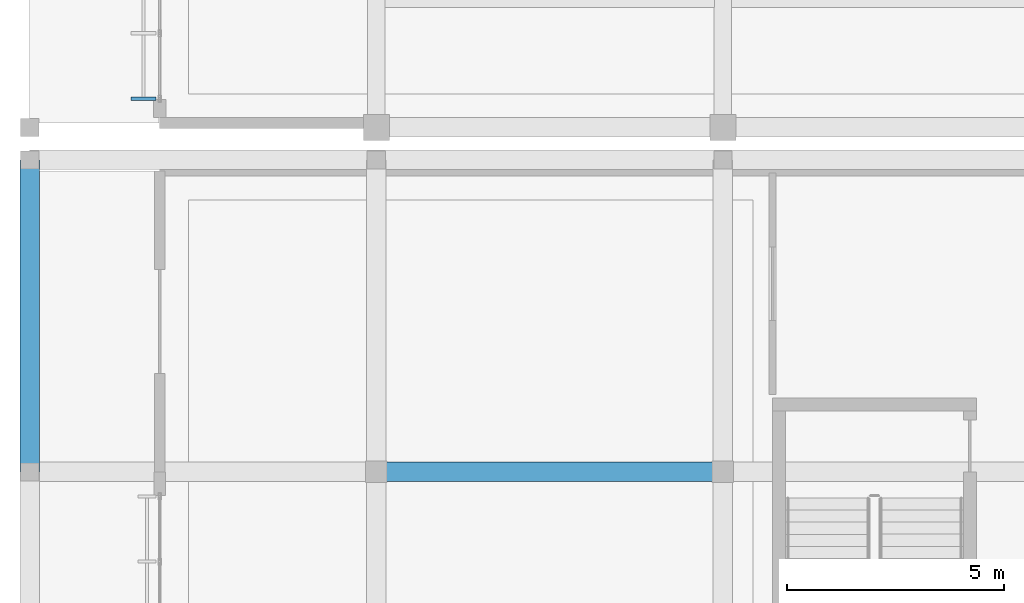
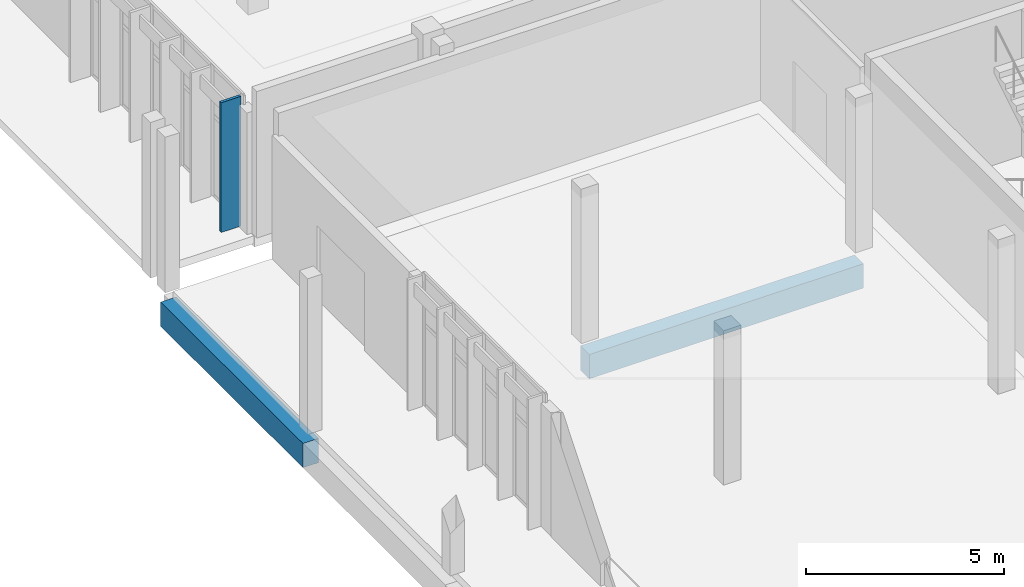
# One storey, part 51 of 151: 2 beams, 1 member, 1 element without a shape of its own.
"""IFC4 building model written with IfcOpenShell, lengths in metres."""

import ifcopenshell
import ifcopenshell.guid

model = None  # the IFC model being written
_history = None  # IfcOwnerHistory: only IFC2X3 demands one
_inside = {}  # id of a spatial element -> (the spatial element, [elements in it])
_under = {}  # id of a project, library or spatial element -> (it, [spatial elements below it])
_declared = {}  # id of a project -> (the project, [libraries it declares])
_typed = {}  # id of a type object -> (the type object, [elements of that type])
_made_of = {}  # id of a material, layer set ... -> (it, [elements and type objects made of it])


def new_model(schema):
    """Start an empty IFC model of exactly this schema.

    Asked for "IFC4X3", IfcOpenShell would pick the latest addendum, in which some entities
    have other attributes; the version numbers below select the first issue.
    IFC2X3 requires an IfcOwnerHistory on every rooted entity: one is made here for all.
    """
    global model, _history
    if schema == "IFC4X3":
        model = ifcopenshell.file(schema_version=(4, 3, 0, 0))
    else:
        model = ifcopenshell.file(schema=schema)
    _inside.clear()
    _under.clear()
    _declared.clear()
    _typed.clear()
    _made_of.clear()
    _history = None
    if model.schema == "IFC2X3":
        org = make("IfcOrganization", Name="unknown")
        user = make(
            "IfcPersonAndOrganization",
            ThePerson=make("IfcPerson", FamilyName="unknown"),
            TheOrganization=org,
        )
        app = make(
            "IfcApplication",
            ApplicationDeveloper=org,
            Version="unknown",
            ApplicationFullName="unknown",
            ApplicationIdentifier="unknown",
        )
        _history = make(
            "IfcOwnerHistory",
            OwningUser=user,
            OwningApplication=app,
            ChangeAction="ADDED",
            CreationDate=0,
        )
    return model


def make(cls, **values):
    """One entity of the class cls with the attributes given. An attribute that is None is left unset."""
    return model.create_entity(
        cls, **{name: value for name, value in values.items() if value is not None}
    )


def rooted(cls, **values):
    """An entity with a GlobalId (a new one), such as an element, a storey or a relation."""
    return make(cls, GlobalId=ifcopenshell.guid.new(), OwnerHistory=_history, **values)


def si_unit(unit_type, name, prefix=None):
    """IfcSIUnit, for example si_unit("LENGTHUNIT", "METRE", prefix="MILLI")."""
    return make("IfcSIUnit", UnitType=unit_type, Prefix=prefix, Name=name)


def assignment(units):
    """IfcUnitAssignment: the units of a project."""
    return None if units is None else make("IfcUnitAssignment", Units=units)


def point(xyz):
    """IfcCartesianPoint."""
    return None if xyz is None else make("IfcCartesianPoint", Coordinates=xyz)


def direction(xyz):
    """IfcDirection."""
    return None if xyz is None else make("IfcDirection", DirectionRatios=xyz)


def frame(location, z_axis=None, x_axis=None):
    """IfcAxis2Placement3D, a coordinate frame: its origin and axes. An axis left out is left unset."""
    return make(
        "IfcAxis2Placement3D",
        Location=point(location),
        Axis=direction(z_axis),
        RefDirection=direction(x_axis),
    )


def frame_2d(location, x_axis=None):
    """IfcAxis2Placement2D, a coordinate frame in the plane: its origin and x axis."""
    return make(
        "IfcAxis2Placement2D", Location=point(location), RefDirection=direction(x_axis)
    )


def origin():
    """The frame at (0, 0, 0) with its axes left unset."""
    return frame((0.0, 0.0, 0.0))


def origin_2d():
    """The frame at (0, 0) in the plane with its x axis left unset."""
    return frame_2d((0.0, 0.0))


def place(relative_to, where):
    """IfcLocalPlacement: puts the frame where relative to a parent placement (None: the world)."""
    return make(
        "IfcLocalPlacement", PlacementRelTo=relative_to, RelativePlacement=where
    )


def context(
    kind, dimensions, precision=None, world=None, true_north=None, identifier=None
):
    """IfcGeometricRepresentationContext, for example the 3D "Model" context."""
    return make(
        "IfcGeometricRepresentationContext",
        ContextIdentifier=identifier,
        ContextType=kind,
        CoordinateSpaceDimension=dimensions,
        Precision=precision,
        WorldCoordinateSystem=world,
        TrueNorth=true_north,
    )


def subcontext(parent, identifier, kind, view, scale=None):
    """IfcGeometricRepresentationSubContext, for example "Body" below "Model"."""
    return make(
        "IfcGeometricRepresentationSubContext",
        ContextIdentifier=identifier,
        ContextType=kind,
        ParentContext=parent,
        TargetScale=scale,
        TargetView=view,
    )


def project(units=None, contexts=None):
    """IfcProject with its units and contexts."""
    return rooted(
        "IfcProject",
        Name="project",
        RepresentationContexts=contexts,
        UnitsInContext=assignment(units),
    )


def spatial(cls, under=None, at=None, **own):
    """A site, building, storey or space (cls), placed at a placement, below another one or the project."""
    s = rooted(cls, ObjectPlacement=at, **own)
    if under is not None:
        _under.setdefault(under.id(), (under, []))[1].append(s)
    return s


def profile(cls, at=None, kind="AREA", **sizes):
    """A parametric profile (cls). Its sizes go by their IFC names, for example OverallWidth=200.0."""
    return make(cls, ProfileType=kind, Position=at, **sizes)


def rectangle(**sizes):
    """IfcRectangleProfileDef."""
    return profile("IfcRectangleProfileDef", **sizes)


def extrude(swept, where, along, depth):
    """IfcExtrudedAreaSolid: the profile swept, set in the frame where, extruded along a direction by depth."""
    return make(
        "IfcExtrudedAreaSolid",
        SweptArea=swept,
        Position=where,
        ExtrudedDirection=direction(along),
        Depth=depth,
    )


def shape(context_of_items, identifier, shape_type, items):
    """IfcShapeRepresentation: the items that make up one representation, for example the "Body"."""
    return make(
        "IfcShapeRepresentation",
        ContextOfItems=context_of_items,
        RepresentationIdentifier=identifier,
        RepresentationType=shape_type,
        Items=items,
    )


def material(Name=None, Category=None):
    """IfcMaterial."""
    return make("IfcMaterial", Name=Name, Category=Category)


def material_profile(
    of_material, cross_section, Name=None, Category=None, Priority=None
):
    """IfcMaterialProfile: a cross section and its material."""
    return make(
        "IfcMaterialProfile",
        Name=Name,
        Material=of_material,
        Profile=cross_section,
        Priority=Priority,
        Category=Category,
    )


def profile_set(profiles, Name=None, composite=None):
    """IfcMaterialProfileSet."""
    return make(
        "IfcMaterialProfileSet",
        Name=Name,
        MaterialProfiles=profiles,
        CompositeProfile=composite,
    )


def made_of(thing, what):
    """Note that an element or type object is made of a material, layer set ...; save() writes the relation."""
    if what is not None:
        _made_of.setdefault(what.id(), (what, []))[1].append(thing)
    return thing


def type_object(cls, material=None, **own):
    """A type object (cls), such as IfcWallType, which elements share."""
    return made_of(rooted(cls, **own), material)


def element(
    cls,
    number,
    at=None,
    inside=None,
    cuts=None,
    type_object=None,
    material=None,
    context=None,
    identifier="Body",
    shape_type=None,
    held_by="IfcProductDefinitionShape",
    body=None,
    shapes=None,
    **own,
):
    """One element of the class cls, such as IfcWall. Its Tag is "e" and its number.

    at: its placement. inside: the storey or other place that contains it. cuts: it is an
    opening in that element (IfcRelVoidsElement). A single representation is given by context,
    identifier, shape_type and body (its items); several are given by shapes. held_by: the class
    of the entity that holds the representations. save() writes the other relations.
    """
    e = rooted(cls, Tag="e%d" % number, ObjectPlacement=at, **own)
    if body is not None:
        shapes = [shape(context, identifier, shape_type, body)]
    if shapes is not None:
        e.Representation = make(held_by, Representations=shapes)
    if inside is not None:
        _inside.setdefault(inside.id(), (inside, []))[1].append(e)
    if cuts is not None:
        rooted(
            "IfcRelVoidsElement", RelatingBuildingElement=cuts, RelatedOpeningElement=e
        )
    if type_object is not None:
        _typed.setdefault(type_object.id(), (type_object, []))[1].append(e)
    return made_of(e, material)


def aggregate(whole, parts):
    """IfcRelAggregates: a whole, such as a stair, and the parts it consists of."""
    return rooted("IfcRelAggregates", RelatingObject=whole, RelatedObjects=parts)


def save(model, path):
    """Write the relations noted so far, then the file.

    IfcRelAggregates (storeys below a building ...), IfcRelContainedInSpatialStructure (elements
    in a storey), IfcRelDefinesByType, IfcRelAssociatesMaterial and IfcRelDeclares: one each for
    every whole, place, type object, material and project.
    """
    for whole, parts in _under.values():
        aggregate(whole, parts)
    for where, things in _inside.values():
        rooted(
            "IfcRelContainedInSpatialStructure",
            RelatedElements=things,
            RelatingStructure=where,
        )
    for kind, things in _typed.values():
        rooted("IfcRelDefinesByType", RelatedObjects=things, RelatingType=kind)
    for what, things in _made_of.values():
        rooted("IfcRelAssociatesMaterial", RelatedObjects=things, RelatingMaterial=what)
    for by, libraries in _declared.values():
        rooted("IfcRelDeclares", RelatingContext=by, RelatedDefinitions=libraries)
    model.write(path)


model = new_model("IFC4")

# Units and contexts
model_context = context("Model", 3, precision=1e-05, world=origin(), true_north=direction((0.0, 1.0)))
body_context = subcontext(model_context, "Body", "Model", "MODEL_VIEW")
ifc_project = project(units=[si_unit("LENGTHUNIT", "METRE"), si_unit("AREAUNIT", "SQUARE_METRE"), si_unit("VOLUMEUNIT", "CUBIC_METRE"), si_unit("PLANEANGLEUNIT", "RADIAN"), si_unit("MASSUNIT", "GRAM", prefix="KILO")], contexts=[model_context])

# Site, building, storey
site_placement = place(None, origin())
site = spatial("IfcSite", under=ifc_project, at=site_placement, CompositionType="ELEMENT")
building_placement = place(site_placement, origin())
building = spatial("IfcBuilding", under=site, at=building_placement, Name="Chiffa Square Polytechnic", CompositionType="ELEMENT")
storey_placement = place(building_placement, origin())
storey = spatial("IfcBuildingStorey", under=building, at=storey_placement, Name="L00", CompositionType="ELEMENT", Elevation=0.0)

# Curtain wall, member
ifc_material_1 = material(Name="Aluminium EN AW-6060 T66 and glulam shading", Category="wood")
curtain_wall_type = type_object("IfcCurtainWallType", Name="CW-VERT-480X380", PredefinedType="USERDEFINED", material=ifc_material_1)
curtain_wall_placement = place(storey_placement, origin())
curtain_wall = element("IfcCurtainWall", 1, at=curtain_wall_placement, inside=storey, type_object=curtain_wall_type, Name="Curtain wall CW-V5-L00-198", ObjectType="CURTAIN WALL", PredefinedType="USERDEFINED")
ifc_material_2 = material(Name="Glulam GL28h", Category="wood")
ifc_material_profile_1 = material_profile(ifc_material_2, rectangle(XDim=0.080078125, YDim=0.580078125, at=origin_2d()), Name="GL28h 80x580")
ifc_profile_set_1 = profile_set([ifc_material_profile_1], Name="Glulam GL28h")
member_type = type_object("IfcMemberType", Name="CWM-GL-80X580", PredefinedType="MULLION", material=ifc_profile_set_1)
member_placement = place(storey_placement, frame((2.6279296875, 95.614990234375, 0.010009765625), z_axis=(0.0, 0.0, 1.0), x_axis=(0.0, -1.0, 0.0)))
member = element("IfcMember", 2, at=member_placement, type_object=member_type, Name="Exterior glulam solar fin CW-V5-L00-198-FN05", PredefinedType="MULLION", context=body_context, shape_type="SweptSolid", body=[
    extrude(rectangle(XDim=0.080078125, YDim=0.580078125, at=origin_2d()), origin(), (0.0, 0.0, 1.0), 4.0048828125),
])
aggregate(curtain_wall, [member])

# Beams
ifc_material_3 = material(Name="Concrete C35/45", Category="concrete")
ifc_material_profile_2 = material_profile(ifc_material_3, rectangle(XDim=0.449951171875, YDim=0.75, at=origin_2d()), Name="RC 450x750")
ifc_profile_set_2 = profile_set([ifc_material_profile_2], Name="Concrete C35/45")
beam_type = type_object("IfcBeamType", Name="GB-RC-450X750", PredefinedType="BEAM", material=ifc_profile_set_2)
beam_1_placement = place(storey_placement, frame((8.0, 87.0, -0.77490234375), z_axis=(1.0, 0.0, 0.0), x_axis=(0.0, 1.0, 0.0)))
element("IfcBeam", 3, at=beam_1_placement, inside=storey, type_object=beam_type, Name="Ground tie beam GB-V6-X-184", PredefinedType="BEAM", context=body_context, shape_type="SweptSolid", body=[
    extrude(rectangle(XDim=0.449951171875, YDim=0.75, at=origin_2d()), origin(), (0.0, 0.0, 1.0), 8.0),
])
beam_2_placement = place(storey_placement, frame((0.0, 87.0, -0.77490234375), z_axis=(0.0, 1.0, 0.0), x_axis=(-1.0, 0.0, 0.0)))
element("IfcBeam", 4, at=beam_2_placement, inside=storey, type_object=beam_type, Name="Ground tie beam GB-V6-Y-202", PredefinedType="BEAM", context=body_context, shape_type="SweptSolid", body=[
    extrude(rectangle(XDim=0.449951171875, YDim=0.75, at=origin_2d()), origin(), (0.0, 0.0, 1.0), 7.199951171875),
])

save(model, "model.ifc")
